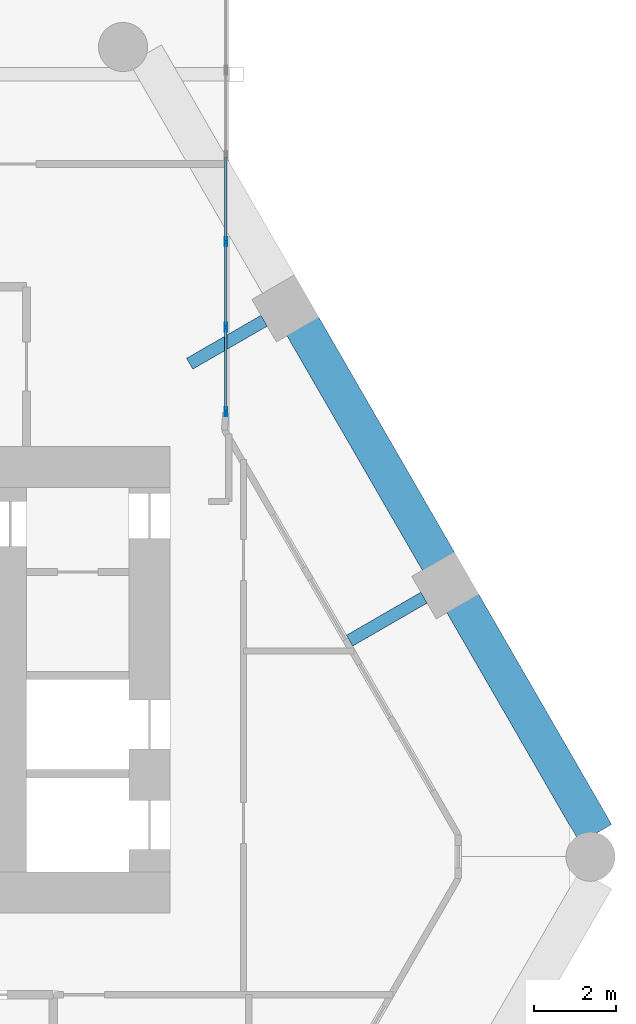
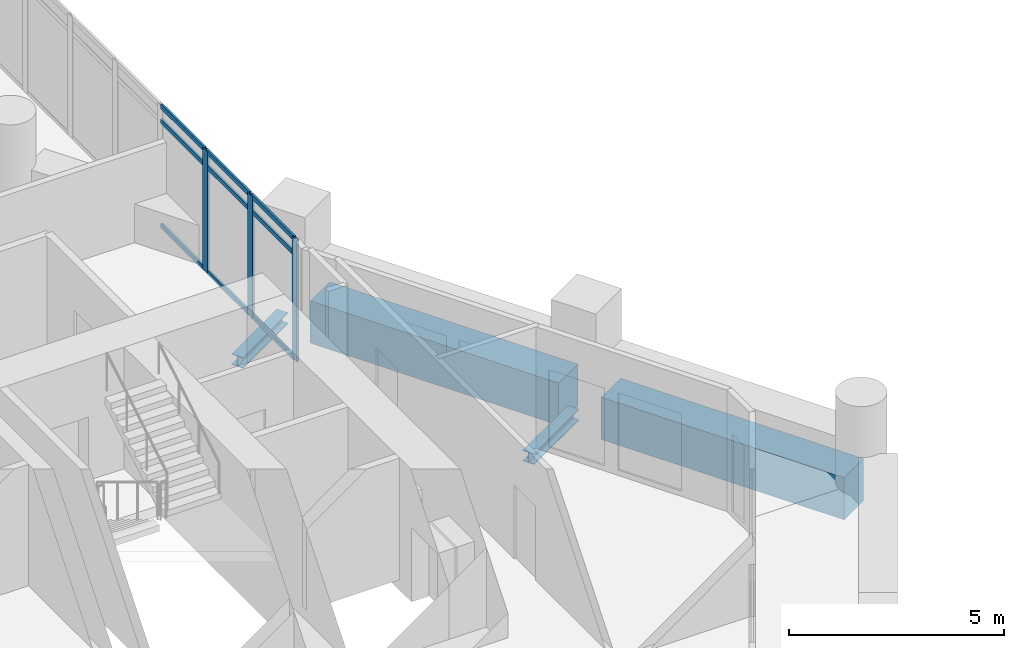
# One storey, part 18 of 28: 12 members, 4 beams, 1 element without a shape of its own.
"""IFC4 building model written with IfcOpenShell, lengths in metres."""

from ifc_helpers import new_model, si_unit, direction, frame, origin, origin_2d, place, context, subcontext, project, spatial, rectangle, hollow_rectangle, i_section, extrude, material, material_profile, profile_set, type_object, element, aggregate, save


model = new_model("IFC4")

# Units and contexts
model_context = context("Model", 3, precision=1e-05, world=origin(), true_north=direction((0.0, 1.0)))
body_context = subcontext(model_context, "Body", "Model", "MODEL_VIEW")
ifc_project = project(units=[si_unit("LENGTHUNIT", "METRE"), si_unit("AREAUNIT", "SQUARE_METRE"), si_unit("VOLUMEUNIT", "CUBIC_METRE"), si_unit("PLANEANGLEUNIT", "RADIAN"), si_unit("MASSUNIT", "GRAM", prefix="KILO")], contexts=[model_context])

# Site, building, storey
site_placement = place(None, origin())
site = spatial("IfcSite", under=ifc_project, at=site_placement, CompositionType="ELEMENT")
building_placement = place(site_placement, origin())
building = spatial("IfcBuilding", under=site, at=building_placement, Name="Ostrander Bayou Hotel Tower", CompositionType="ELEMENT")
storey_placement = place(building_placement, frame((0.0, 0.0, 100.5)))
storey = spatial("IfcBuildingStorey", under=building, at=storey_placement, Name="L25", CompositionType="ELEMENT", Elevation=100.5)

# Curtain wall, members
ifc_material_1 = material(Name="Aluminium and clear glass", Category="aluminium")
curtain_wall_type = type_object("IfcCurtainWallType", Name="CW-BAR glazed wall", PredefinedType="NOTDEFINED", material=ifc_material_1)
curtain_wall_placement = place(storey_placement, origin())
curtain_wall = element("IfcCurtainWall", 1, at=curtain_wall_placement, inside=storey, type_object=curtain_wall_type, Name="CW-BAR L25:SB2N:W", PredefinedType="NOTDEFINED")
ifc_material_2 = material(Name="Aluminium", Category="aluminium")
ifc_material_profile_1 = material_profile(ifc_material_2, hollow_rectangle(XDim=0.06005859375, YDim=0.219970703125, WallThickness=0.00390625, at=origin_2d()))
ifc_profile_set_1 = profile_set([ifc_material_profile_1], Name="Aluminium")
member_type_1 = type_object("IfcMemberType", Name="CW-BR mullion 60 x 220 mm", PredefinedType="MULLION", material=ifc_profile_set_1)
member_1_placement = place(storey_placement, frame((13.3671875, 10.550048828125, 0.0), z_axis=(0.0, 0.0, 1.0), x_axis=(-1.0, 0.0, 0.0)))
member_1 = element("IfcMember", 2, at=member_1_placement, type_object=member_type_1, Name="CW-BAR mullion 1", PredefinedType="MULLION", context=body_context, shape_type="SweptSolid", body=[
    extrude(hollow_rectangle(XDim=0.06005859375, YDim=0.219970703125, WallThickness=0.00390625, at=origin_2d()), origin(), (0.0, 0.0, 1.0), 3.449951171875),
])
member_2_placement = place(storey_placement, frame((13.3671875, 12.612548828125, 0.0), z_axis=(0.0, 0.0, 1.0), x_axis=(-1.0, 0.0, 0.0)))
member_2 = element("IfcMember", 3, at=member_2_placement, type_object=member_type_1, Name="CW-BAR mullion 2", PredefinedType="MULLION", context=body_context, shape_type="SweptSolid", body=[
    extrude(hollow_rectangle(XDim=0.06005859375, YDim=0.219970703125, WallThickness=0.00390625, at=origin_2d()), origin(), (0.0, 0.0, 1.0), 3.449951171875),
])
member_3_placement = place(storey_placement, frame((13.3671875, 14.705078125, 0.0), z_axis=(0.0, 0.0, 1.0), x_axis=(-1.0, 0.0, 0.0)))
member_3 = element("IfcMember", 4, at=member_3_placement, type_object=member_type_1, Name="CW-BAR mullion 3", PredefinedType="MULLION", context=body_context, shape_type="SweptSolid", body=[
    extrude(hollow_rectangle(XDim=0.06005859375, YDim=0.219970703125, WallThickness=0.00390625, at=origin_2d()), origin(), (0.0, 0.0, 1.0), 3.449951171875),
])
ifc_material_3 = material(Name="Aluminium", Category="aluminium")
ifc_material_profile_2 = material_profile(ifc_material_3, hollow_rectangle(XDim=0.06005859375, YDim=0.1298828125, WallThickness=0.00390625, at=origin_2d()))
ifc_profile_set_2 = profile_set([ifc_material_profile_2], Name="Aluminium")
member_type_2 = type_object("IfcMemberType", Name="CW-BR transom 60 x 130 mm", PredefinedType="USERDEFINED", material=ifc_profile_set_2)
member_4_placement = place(storey_placement, frame((13.3671875, 10.580078125, 0.030029296875), z_axis=(0.0, 1.0, 0.0), x_axis=(-1.0, 0.0, 0.0)))
member_4 = element("IfcMember", 5, at=member_4_placement, type_object=member_type_2, Name="CW-BAR transom 1.1", ObjectType="TRANSOM", PredefinedType="USERDEFINED", context=body_context, shape_type="SweptSolid", body=[
    extrude(hollow_rectangle(XDim=0.06005859375, YDim=0.1298828125, WallThickness=0.00390625, at=origin_2d()), origin(), (0.0, 0.0, 1.0), 2.00244140625),
])
member_5_placement = place(storey_placement, frame((13.3671875, 10.580078125, 3.0), z_axis=(0.0, 1.0, 0.0), x_axis=(-1.0, 0.0, 0.0)))
member_5 = element("IfcMember", 6, at=member_5_placement, type_object=member_type_2, Name="CW-BAR transom 1.2", ObjectType="TRANSOM", PredefinedType="USERDEFINED", context=body_context, shape_type="SweptSolid", body=[
    extrude(hollow_rectangle(XDim=0.06005859375, YDim=0.1298828125, WallThickness=0.00390625, at=origin_2d()), origin(), (0.0, 0.0, 1.0), 2.00244140625),
])
member_6_placement = place(storey_placement, frame((13.3671875, 10.580078125, 3.419921875), z_axis=(0.0, 1.0, 0.0), x_axis=(-1.0, 0.0, 0.0)))
member_6 = element("IfcMember", 7, at=member_6_placement, type_object=member_type_2, Name="CW-BAR transom 1.3", ObjectType="TRANSOM", PredefinedType="USERDEFINED", context=body_context, shape_type="SweptSolid", body=[
    extrude(hollow_rectangle(XDim=0.06005859375, YDim=0.1298828125, WallThickness=0.00390625, at=origin_2d()), origin(), (0.0, 0.0, 1.0), 2.00244140625),
])
member_7_placement = place(storey_placement, frame((13.3671875, 12.642578125, 0.030029296875), z_axis=(0.0, 1.0, 0.0), x_axis=(-1.0, 0.0, 0.0)))
member_7 = element("IfcMember", 8, at=member_7_placement, type_object=member_type_2, Name="CW-BAR transom 2.1", ObjectType="TRANSOM", PredefinedType="USERDEFINED", context=body_context, shape_type="SweptSolid", body=[
    extrude(hollow_rectangle(XDim=0.06005859375, YDim=0.1298828125, WallThickness=0.00390625, at=origin_2d()), origin(), (0.0, 0.0, 1.0), 2.032470703125),
])
member_8_placement = place(storey_placement, frame((13.3671875, 12.642578125, 3.0), z_axis=(0.0, 1.0, 0.0), x_axis=(-1.0, 0.0, 0.0)))
member_8 = element("IfcMember", 9, at=member_8_placement, type_object=member_type_2, Name="CW-BAR transom 2.2", ObjectType="TRANSOM", PredefinedType="USERDEFINED", context=body_context, shape_type="SweptSolid", body=[
    extrude(hollow_rectangle(XDim=0.06005859375, YDim=0.1298828125, WallThickness=0.00390625, at=origin_2d()), origin(), (0.0, 0.0, 1.0), 2.032470703125),
])
member_9_placement = place(storey_placement, frame((13.3671875, 12.642578125, 3.419921875), z_axis=(0.0, 1.0, 0.0), x_axis=(-1.0, 0.0, 0.0)))
member_9 = element("IfcMember", 10, at=member_9_placement, type_object=member_type_2, Name="CW-BAR transom 2.3", ObjectType="TRANSOM", PredefinedType="USERDEFINED", context=body_context, shape_type="SweptSolid", body=[
    extrude(hollow_rectangle(XDim=0.06005859375, YDim=0.1298828125, WallThickness=0.00390625, at=origin_2d()), origin(), (0.0, 0.0, 1.0), 2.032470703125),
])
member_10_placement = place(storey_placement, frame((13.3671875, 14.735107421875, 0.030029296875), z_axis=(0.0, 1.0, 0.0), x_axis=(-1.0, 0.0, 0.0)))
member_10 = element("IfcMember", 11, at=member_10_placement, type_object=member_type_2, Name="CW-BAR transom 3.1", ObjectType="TRANSOM", PredefinedType="USERDEFINED", context=body_context, shape_type="SweptSolid", body=[
    extrude(hollow_rectangle(XDim=0.06005859375, YDim=0.1298828125, WallThickness=0.00390625, at=origin_2d()), origin(), (0.0, 0.0, 1.0), 2.032470703125),
])
member_11_placement = place(storey_placement, frame((13.3671875, 14.735107421875, 3.0), z_axis=(0.0, 1.0, 0.0), x_axis=(-1.0, 0.0, 0.0)))
member_11 = element("IfcMember", 12, at=member_11_placement, type_object=member_type_2, Name="CW-BAR transom 3.2", ObjectType="TRANSOM", PredefinedType="USERDEFINED", context=body_context, shape_type="SweptSolid", body=[
    extrude(hollow_rectangle(XDim=0.06005859375, YDim=0.1298828125, WallThickness=0.00390625, at=origin_2d()), origin(), (0.0, 0.0, 1.0), 2.032470703125),
])
member_12_placement = place(storey_placement, frame((13.3671875, 14.735107421875, 3.419921875), z_axis=(0.0, 1.0, 0.0), x_axis=(-1.0, 0.0, 0.0)))
member_12 = element("IfcMember", 13, at=member_12_placement, type_object=member_type_2, Name="CW-BAR transom 3.3", ObjectType="TRANSOM", PredefinedType="USERDEFINED", context=body_context, shape_type="SweptSolid", body=[
    extrude(hollow_rectangle(XDim=0.06005859375, YDim=0.1298828125, WallThickness=0.00390625, at=origin_2d()), origin(), (0.0, 0.0, 1.0), 2.032470703125),
])
aggregate(curtain_wall, [member_1, member_2, member_3, member_4, member_5, member_6, member_7, member_8, member_9, member_10, member_11, member_12])

# Beams
ifc_material_4 = material(Name="Steel ASTM A992", Category="steel")
ifc_material_profile_3 = material_profile(ifc_material_4, i_section(OverallWidth=0.3046875, OverallDepth=0.307861328125, WebThickness=0.010009765625, FlangeThickness=0.015380859375, at=origin_2d()))
ifc_profile_set_3 = profile_set([ifc_material_profile_3], Name="Steel ASTM A992")
beam_type_1 = type_object("IfcBeamType", Name="LB1 loggia bracket W12x65", PredefinedType="BEAM", material=ifc_profile_set_3)
for number, where, z_axis, x_axis, name in (
    (14, (18.2109375, 6.0029296875, -0.453857421875), (-0.866009402589, -0.500027713859, 0.0), (0.500027713859, -0.866009402589, 0.0), "LB1 L25 NE1"),
    (15, (14.30419921875, 12.769775390625, -0.453857421875), (-0.866009402589, -0.500027713859, 0.0), (0.500027713859, -0.866009402589, 0.0), "LB1 L25 NE2"),
):
    element("IfcBeam", number, at=place(storey_placement, frame(where, z_axis=z_axis, x_axis=x_axis)), inside=storey, type_object=beam_type_1, Name=name, PredefinedType="BEAM", context=body_context, shape_type="SweptSolid", body=[
        extrude(i_section(OverallWidth=0.3046875, OverallDepth=0.307861328125, WebThickness=0.010009765625, FlangeThickness=0.015380859375, at=origin_2d()), origin(), (0.0, 0.0, 1.0), 2.10009765625),
    ])
ifc_material_5 = material(Name="Concrete f'c 70 MPa", Category="concrete")
ifc_material_profile_4 = material_profile(ifc_material_5, rectangle(XDim=0.89990234375, YDim=1.199951171875, at=origin_2d()))
ifc_profile_set_4 = profile_set([ifc_material_profile_4], Name="Concrete f'c 70 MPa")
beam_type_2 = type_object("IfcBeamType", Name="SP2 spandrel beam 900 x 1200 mm f'c 70 MPa", PredefinedType="SPANDREL", material=ifc_profile_set_4)
beam_1_placement = place(storey_placement, frame((22.406494140625, 0.236328125, -0.60009765625), z_axis=(-0.500000042739, 0.866025379109, 0.0), x_axis=(-0.866025379109, -0.500000042739, 0.0)))
element("IfcBeam", 16, at=beam_1_placement, inside=storey, type_object=beam_type_2, Name="SP2 L25 NE-1", PredefinedType="SPANDREL", context=body_context, shape_type="SweptSolid", body=[
    extrude(rectangle(XDim=0.89990234375, YDim=1.199951171875, at=origin_2d()), origin(), (0.0, 0.0, 1.0), 6.52197265625),
])
beam_2_placement = place(storey_placement, frame((18.575439453125, 6.87158203125, -0.60009765625), z_axis=(-0.499999023957, 0.866025967302, 0.0), x_axis=(-0.866025967302, -0.499999023957, 0.0)))
element("IfcBeam", 17, at=beam_2_placement, inside=storey, type_object=beam_type_2, Name="SP2 L25 NE-2", PredefinedType="SPANDREL", context=body_context, shape_type="SweptSolid", body=[
    extrude(rectangle(XDim=0.89990234375, YDim=1.199951171875, at=origin_2d()), origin(), (0.0, 0.0, 1.0), 6.67333984375),
])

save(model, "model.ifc")
